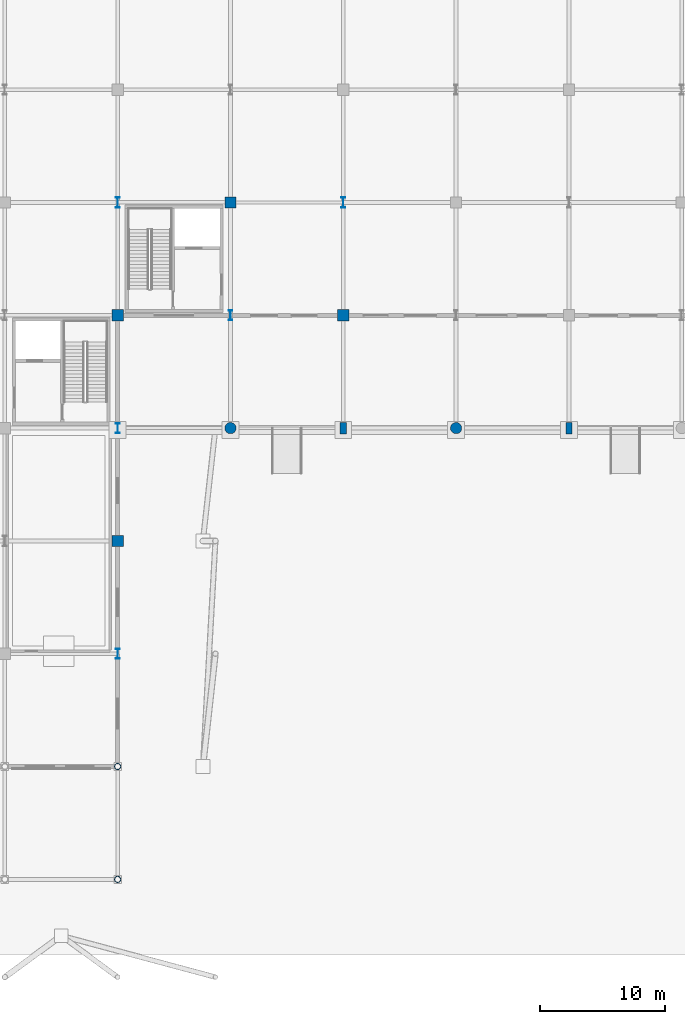
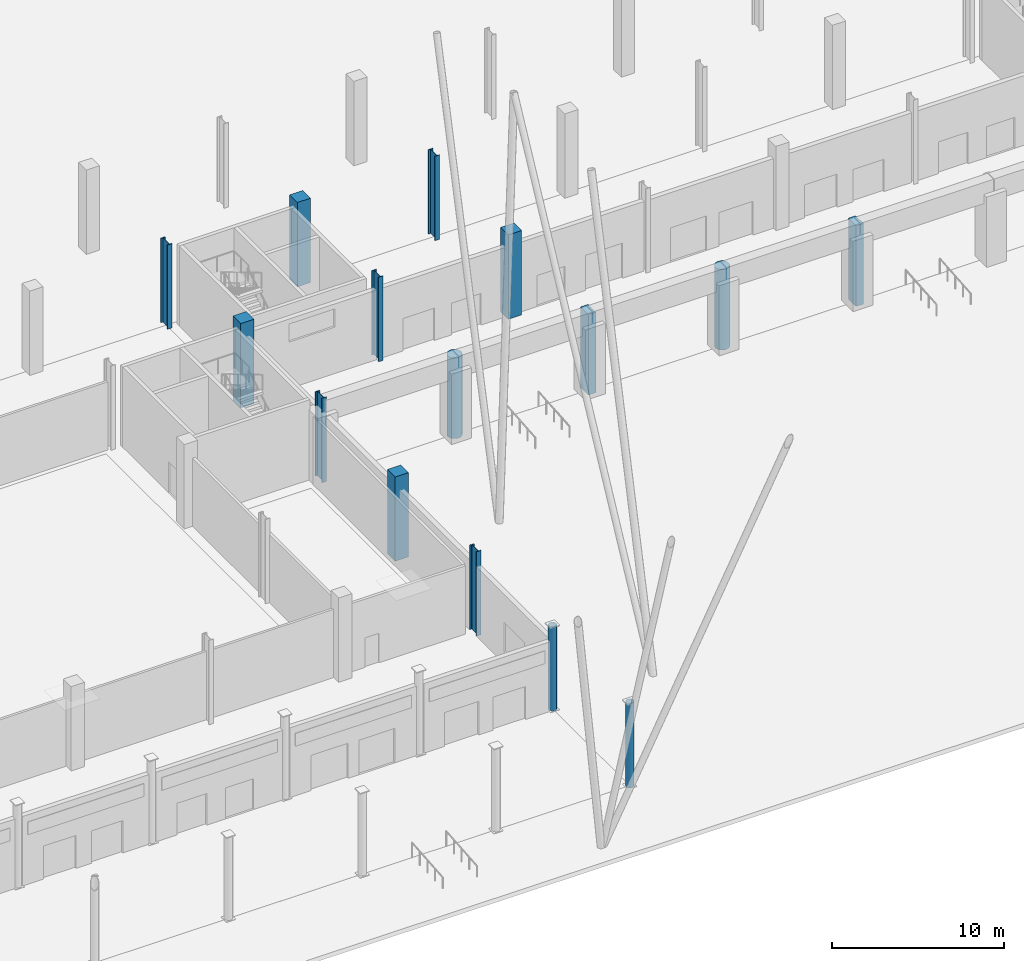
# One storey, part 3 of 58: 15 columns.
"""IFC4 building model written with IfcOpenShell, lengths in metres."""

from ifc_helpers import new_model, si_unit, direction, frame, origin, origin_2d, place, context, subcontext, project, spatial, rectangle, circle, hollow_circle, i_section, extrude, material, material_profile, profile_set, type_object, element, save


model = new_model("IFC4")

# Units and contexts
model_context = context("Model", 3, precision=1e-05, world=origin(), true_north=direction((0.0, 1.0)))
body_context = subcontext(model_context, "Body", "Model", "MODEL_VIEW")
ifc_project = project(units=[si_unit("LENGTHUNIT", "METRE"), si_unit("AREAUNIT", "SQUARE_METRE"), si_unit("VOLUMEUNIT", "CUBIC_METRE"), si_unit("PLANEANGLEUNIT", "RADIAN"), si_unit("MASSUNIT", "GRAM", prefix="KILO")], contexts=[model_context])

# Site, building, storey
site_placement = place(None, origin())
site = spatial("IfcSite", under=ifc_project, at=site_placement, CompositionType="ELEMENT")
building_placement = place(site_placement, origin())
building = spatial("IfcBuilding", under=site, at=building_placement, Name="Barlavento Convention Centre", CompositionType="ELEMENT")
storey_placement = place(building_placement, origin())
storey = spatial("IfcBuildingStorey", under=building, at=storey_placement, Name="L00", CompositionType="ELEMENT", Elevation=0.0)

# Columns
ifc_material_1 = material(Name="Steel S460", Category="steel")
ifc_material_profile_1 = material_profile(ifc_material_1, hollow_circle(Radius=0.25390625, WallThickness=0.02001953125, at=origin_2d()), Name="CHS 508.0x20.0")
ifc_profile_set_1 = profile_set([ifc_material_profile_1], Name="Steel S460")
column_type_1 = type_object("IfcColumnType", Name="STR-COL-CHS508", PredefinedType="COLUMN", material=ifc_profile_set_1)
for number, where, z_axis, x_axis, name in (
    (1, (63.0, 0.0, 0.0), (0.0, 0.0, 1.0), (1.0, 0.0, 0.0), "L00 column SC13"),
    (2, (63.0, 9.0, 0.0), (0.0, 0.0, 1.0), (1.0, 0.0, 0.0), "L00 column SC13"),
):
    element("IfcColumn", number, at=place(storey_placement, frame(where, z_axis=z_axis, x_axis=x_axis)), inside=storey, type_object=column_type_1, Name=name, PredefinedType="COLUMN", context=body_context, shape_type="SweptSolid", body=[
        extrude(hollow_circle(Radius=0.25390625, WallThickness=0.02001953125, at=origin_2d()), origin(), (0.0, 0.0, 1.0), 6.0),
    ])
ifc_material_profile_2 = material_profile(ifc_material_1, i_section(OverallWidth=0.302978515625, OverallDepth=0.81396484375, WebThickness=0.02099609375, FlangeThickness=0.0400390625, FilletRadius=0.030029296875, at=origin_2d()), Name="HEM 800")
ifc_profile_set_2 = profile_set([ifc_material_profile_2], Name="Steel S460")
column_type_2 = type_object("IfcColumnType", Name="STR-COL-HEM800", PredefinedType="COLUMN", material=ifc_profile_set_2)
for number, where, z_axis, x_axis, name in (
    (3, (63.0, 18.0, 0.0), (0.0, 0.0, 1.0), (1.0, 0.0, 0.0), "L00 column SC02"),
    (4, (63.0, 36.0, 0.0), (0.0, 0.0, 1.0), (1.0, 0.0, 0.0), "L00 column SC02"),
    (5, (63.0, 54.0, 0.0), (0.0, 0.0, 1.0), (1.0, 0.0, 0.0), "L00 column SC02"),
    (6, (72.0, 45.0, 0.0), (0.0, 0.0, 1.0), (1.0, 0.0, 0.0), "L00 column SC02"),
    (7, (81.0, 54.0, 0.0), (0.0, 0.0, 1.0), (1.0, 0.0, 0.0), "L00 column SC02"),
):
    element("IfcColumn", number, at=place(storey_placement, frame(where, z_axis=z_axis, x_axis=x_axis)), inside=storey, type_object=column_type_2, Name=name, PredefinedType="COLUMN", context=body_context, shape_type="SweptSolid", body=[
        extrude(i_section(OverallWidth=0.302978515625, OverallDepth=0.81396484375, WebThickness=0.02099609375, FlangeThickness=0.0400390625, FilletRadius=0.030029296875, at=origin_2d()), origin(), (0.0, 0.0, 1.0), 6.0),
    ])
ifc_material_2 = material(Name="Concrete C40/50", Category="concrete")
ifc_material_profile_3 = material_profile(ifc_material_2, rectangle(XDim=0.5, YDim=0.89990234375, at=origin_2d()), Name="RC 500x900")
ifc_profile_set_3 = profile_set([ifc_material_profile_3], Name="Concrete C40/50")
column_type_3 = type_object("IfcColumnType", Name="STR-COL-PIL500X900", PredefinedType="PILASTER", material=ifc_profile_set_3)
for number, where, z_axis, x_axis, name in (
    (8, (81.0, 36.0, 0.0), (0.0, 0.0, 1.0), (1.0, 0.0, 0.0), "L00 column CP02"),
    (9, (99.0, 36.0, 0.0), (0.0, 0.0, 1.0), (1.0, 0.0, 0.0), "L00 column CP02"),
):
    element("IfcColumn", number, at=place(storey_placement, frame(where, z_axis=z_axis, x_axis=x_axis)), inside=storey, type_object=column_type_3, Name=name, PredefinedType="PILASTER", context=body_context, shape_type="SweptSolid", body=[
        extrude(rectangle(XDim=0.5, YDim=0.89990234375, at=origin_2d()), origin(), (0.0, 0.0, 1.0), 5.735107421875),
    ])
ifc_material_profile_4 = material_profile(ifc_material_2, circle(Radius=0.449951171875, at=origin_2d()), Name="RC DIA 900")
ifc_profile_set_4 = profile_set([ifc_material_profile_4], Name="Concrete C40/50")
column_type_4 = type_object("IfcColumnType", Name="STR-COL-PIL900", PredefinedType="PILASTER", material=ifc_profile_set_4)
for number, where, z_axis, x_axis, name in (
    (10, (72.0, 36.0, 0.0), (0.0, 0.0, 1.0), (1.0, 0.0, 0.0), "L00 column CP01"),
    (11, (90.0, 36.0, 0.0), (0.0, 0.0, 1.0), (1.0, 0.0, 0.0), "L00 column CP01"),
):
    element("IfcColumn", number, at=place(storey_placement, frame(where, z_axis=z_axis, x_axis=x_axis)), inside=storey, type_object=column_type_4, Name=name, PredefinedType="PILASTER", context=body_context, shape_type="SweptSolid", body=[
        extrude(circle(Radius=0.449951171875, at=origin_2d()), origin(), (0.0, 0.0, 1.0), 5.735107421875),
    ])
ifc_material_3 = material(Name="Concrete C50/60", Category="concrete")
ifc_material_profile_5 = material_profile(ifc_material_3, rectangle(XDim=0.89990234375, YDim=0.89990234375, at=origin_2d()), Name="RC 900x900")
ifc_profile_set_5 = profile_set([ifc_material_profile_5], Name="Concrete C50/60")
column_type_5 = type_object("IfcColumnType", Name="STR-COL-RC900", PredefinedType="COLUMN", material=ifc_profile_set_5)
for number, where, z_axis, x_axis, name in (
    (12, (63.0, 27.0, 0.0), (0.0, 0.0, 1.0), (1.0, 0.0, 0.0), "L00 column CC04"),
    (13, (63.0, 45.0, 0.0), (0.0, 0.0, 1.0), (1.0, 0.0, 0.0), "L00 column CC04"),
    (14, (72.0, 54.0, 0.0), (0.0, 0.0, 1.0), (1.0, 0.0, 0.0), "L00 column CC04"),
    (15, (81.0, 45.0, 0.0), (0.0, 0.0, 1.0), (1.0, 0.0, 0.0), "L00 column CC04"),
):
    element("IfcColumn", number, at=place(storey_placement, frame(where, z_axis=z_axis, x_axis=x_axis)), inside=storey, type_object=column_type_5, Name=name, PredefinedType="COLUMN", context=body_context, shape_type="SweptSolid", body=[
        extrude(rectangle(XDim=0.89990234375, YDim=0.89990234375, at=origin_2d()), origin(), (0.0, 0.0, 1.0), 6.0),
    ])

save(model, "model.ifc")
